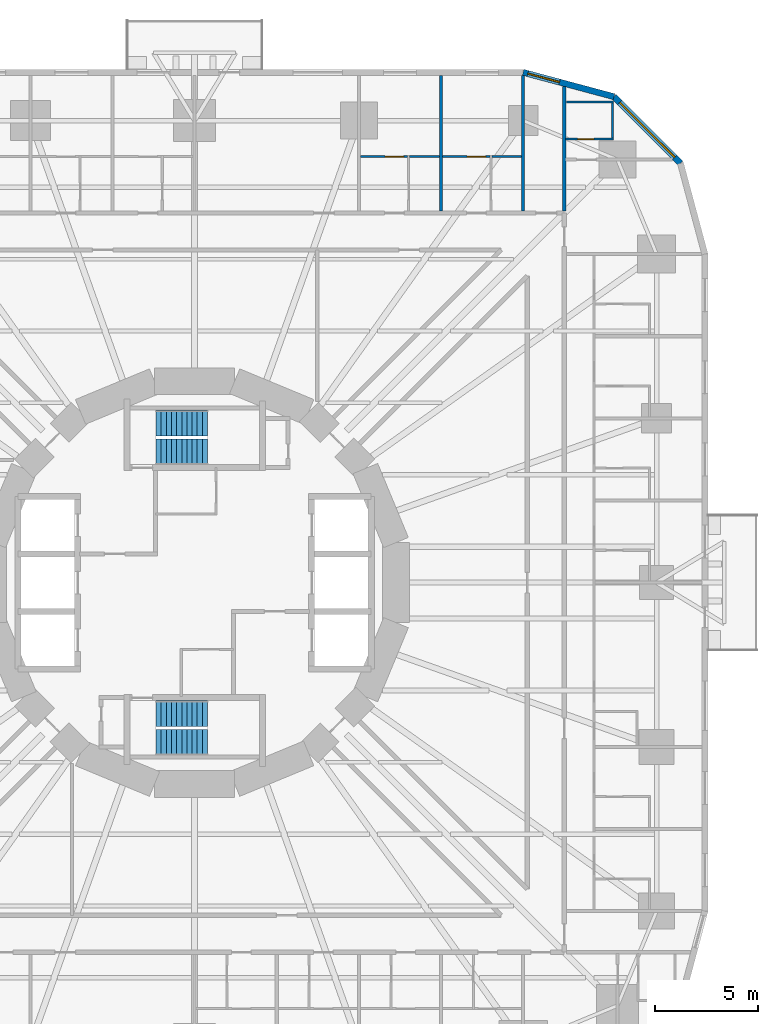
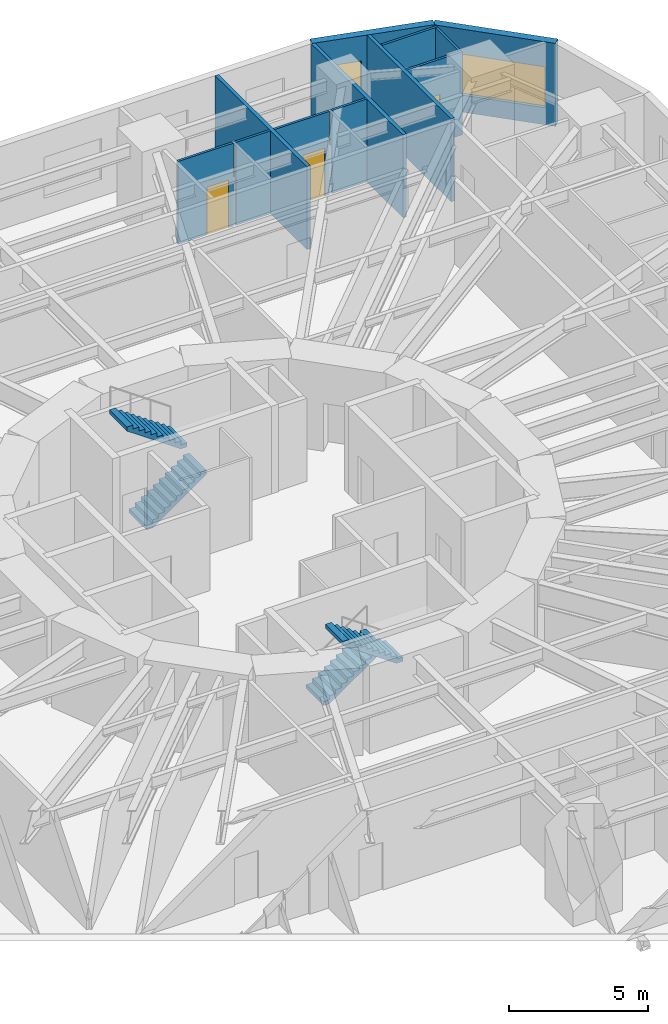
# One storey, part 12 of 14: 12 walls, 4 stair flights, 3 doors, 2 windows, 5 openings, 2 elements without a shape of their own.
"""IFC4 building model written with IfcOpenShell, lengths in metres."""

from ifc_helpers import new_model, si_unit, direction, frame, frame_2d, origin, place, context, subcontext, project, spatial, polyline, rectangle, outline, extrude, material, layer, layer_set, type_object, element, fill, aggregate, save


model = new_model("IFC4")

# Units and contexts
model_context = context("Model", 3, precision=1e-05, world=origin(), true_north=direction((0.0, 1.0)))
body_context = subcontext(model_context, "Body", "Model", "MODEL_VIEW")
ifc_project = project(units=[si_unit("LENGTHUNIT", "METRE"), si_unit("AREAUNIT", "SQUARE_METRE"), si_unit("VOLUMEUNIT", "CUBIC_METRE"), si_unit("PLANEANGLEUNIT", "RADIAN"), si_unit("MASSUNIT", "GRAM", prefix="KILO")], contexts=[model_context])

# Site, building, storey
site_placement = place(None, origin())
site = spatial("IfcSite", under=ifc_project, at=site_placement, CompositionType="ELEMENT")
building_placement = place(site_placement, origin())
building = spatial("IfcBuilding", under=site, at=building_placement, Name="Nakasero Lantern House", CompositionType="ELEMENT")
storey_placement = place(building_placement, frame((0.0, 0.0, 27.550048828125)))
storey = spatial("IfcBuildingStorey", under=building, at=storey_placement, Name="L06", CompositionType="ELEMENT", Elevation=27.550048828125)

# Wall, opening, door
ifc_material_1 = material(Name="Blockwork", Category="masonry")
ifc_layer_1 = layer(ifc_material_1, 0.10009765625)
ifc_layer_set_1 = layer_set([ifc_layer_1], Name="En-suite wall 100")
wall_type_1 = type_object("IfcWallType", Name="En-suite wall 100", PredefinedType="PARTITIONING", material=ifc_layer_set_1)
wall_1_placement = place(storey_placement, frame((18.06494140625, 21.59619140625, 0.0), z_axis=(0.0, 0.0, 1.0), x_axis=(1.0, 0.0, 0.0)))
wall_1 = element("IfcWall", 1, at=wall_1_placement, inside=storey, type_object=wall_type_1, Name="En-suite wall L06 ES0-09", PredefinedType="PARTITIONING", context=body_context, shape_type="SweptSolid", body=[
    extrude(rectangle(XDim=2.3349609375, YDim=0.10009765625, at=frame_2d((1.16748046875, 0.0))), origin(), (0.0, 0.0, 1.0), 3.64990234375),
])
opening_1_placement = place(wall_1_placement, frame((0.5849609375, 0.0, 0.0)))
opening_1 = element("IfcOpeningElement", 2, at=opening_1_placement, cuts=wall_1, Name="Opening D02", PredefinedType="OPENING", context=body_context, shape_type="SweptSolid", body=[
    extrude(rectangle(XDim=0.800048828125, YDim=2.10009765625, at=frame_2d((0.39990234375, 1.050048828125))), frame((0.0, 0.070068359375, 0.0), z_axis=(0.0, -1.0, 0.0), x_axis=(1.0, 0.0, 0.0)), (0.0, 0.0, 1.0), 0.14013671875),
])
ifc_material_2 = material(Name="Timber C24", Category="wood")
door_type_1 = type_object("IfcDoorType", Name="En-suite door 800", OperationType="SINGLE_SWING_RIGHT", PredefinedType="DOOR", material=ifc_material_2)
door_1_placement = place(opening_1_placement, origin())
door_1 = element("IfcDoor", 3, at=door_1_placement, inside=storey, type_object=door_type_1, Name="Door L06 DE0-09", OperationType="SINGLE_SWING_LEFT", OverallHeight=2.10009765625, OverallWidth=0.800048828125, PredefinedType="DOOR", context=body_context, shape_type="SweptSolid", body=[
    extrude(rectangle(XDim=0.800048828125, YDim=2.10009765625, at=frame_2d((0.39990234375, 1.050048828125))), frame((0.0, 0.02490234375, 0.0), z_axis=(0.0, -1.0, 0.0), x_axis=(1.0, 0.0, 0.0)), (0.0, 0.0, 1.0), 0.050048828125),
])
fill(opening_1, door_1)

# Walls
wall_2_placement = place(storey_placement, frame((20.35009765625, 21.646240234375, 0.0), z_axis=(0.0, 0.0, 1.0), x_axis=(0.0, 1.0, 0.0)))
element("IfcWall", 4, at=wall_2_placement, inside=storey, type_object=wall_type_1, Name="En-suite wall L06 EE0-09", PredefinedType="PARTITIONING", context=body_context, shape_type="SweptSolid", body=[
    extrude(rectangle(XDim=1.699951171875, YDim=0.10009765625, at=frame_2d((0.85009765625, 0.0))), origin(), (0.0, 0.0, 1.0), 3.64990234375),
])
wall_3_placement = place(storey_placement, frame((18.10009765625, 23.396240234375, 0.0), z_axis=(0.0, 0.0, 1.0), x_axis=(1.0, 0.0, 0.0)))
element("IfcWall", 5, at=wall_3_placement, inside=storey, type_object=wall_type_1, Name="En-suite wall L06 EV0-09", PredefinedType="PARTITIONING", context=body_context, shape_type="SweptSolid", body=[
    extrude(rectangle(XDim=2.2998046875, YDim=0.10009765625, at=frame_2d((1.14990234375, 0.0))), origin(), (0.0, 0.0, 1.0), 3.64990234375),
])
for number, where, z_axis, x_axis, name in (
    (6, (15.925048828125, 20.75, 0.0), (0.0, 0.0, 1.0), (-1.0, 0.0, 0.0), "En-suite wall L06 EE1-01"),
    (7, (11.925048828125, 20.75, 0.0), (0.0, 0.0, 1.0), (-1.0, 0.0, 0.0), "En-suite wall L06 EE1-02"),
):
    element("IfcWall", number, at=place(storey_placement, frame(where, z_axis=z_axis, x_axis=x_axis)), inside=storey, type_object=wall_type_1, Name=name, PredefinedType="PARTITIONING", context=body_context, shape_type="SweptSolid", body=[
        extrude(rectangle(XDim=1.449951171875, YDim=0.10009765625, at=frame_2d((0.72509765625, 0.0))), origin(), (0.0, 0.0, 1.0), 3.64990234375),
    ])

# Wall, opening, door
wall_4_placement = place(storey_placement, frame((14.375, 20.75, 0.0), z_axis=(0.0, 0.0, 1.0), x_axis=(-1.0, 0.0, 0.0)))
wall_4 = element("IfcWall", 8, at=wall_4_placement, inside=storey, type_object=wall_type_1, Name="En-suite wall L06 EL1-01", PredefinedType="PARTITIONING", context=body_context, shape_type="SweptSolid", body=[
    extrude(rectangle(XDim=2.300048828125, YDim=0.10009765625, at=frame_2d((1.14990234375, 0.0))), origin(), (0.0, 0.0, 1.0), 3.64990234375),
])
opening_2_placement = place(wall_4_placement, frame((0.199951171875, 0.0, 0.0)))
opening_2 = element("IfcOpeningElement", 9, at=opening_2_placement, cuts=wall_4, Name="Opening D17", PredefinedType="OPENING", context=body_context, shape_type="SweptSolid", body=[
    extrude(rectangle(XDim=0.89990234375, YDim=2.10009765625, at=frame_2d((0.449951171875, 1.050048828125))), frame((0.0, 0.070068359375, 0.0), z_axis=(0.0, -1.0, 0.0), x_axis=(1.0, 0.0, 0.0)), (0.0, 0.0, 1.0), 0.14013671875),
])
ifc_material_3 = material(Name="Timber C24", Category="wood")
door_type_2 = type_object("IfcDoorType", Name="Bedroom door FD30S 900", OperationType="SINGLE_SWING_LEFT", PredefinedType="DOOR", material=ifc_material_3)
door_2_placement = place(opening_2_placement, origin())
door_2 = element("IfcDoor", 10, at=door_2_placement, inside=storey, type_object=door_type_2, Name="Door L06 DL1-01", OperationType="SINGLE_SWING_LEFT", OverallHeight=2.10009765625, OverallWidth=0.89990234375, PredefinedType="DOOR", context=body_context, shape_type="SweptSolid", body=[
    extrude(rectangle(XDim=0.89990234375, YDim=2.10009765625, at=frame_2d((0.449951171875, 1.050048828125))), frame((0.0, 0.02490234375, 0.0), z_axis=(0.0, -1.0, 0.0), x_axis=(1.0, 0.0, 0.0)), (0.0, 0.0, 1.0), 0.050048828125),
])
fill(opening_2, door_2)

wall_5_placement = place(storey_placement, frame((10.375, 20.75, 0.0), z_axis=(0.0, 0.0, 1.0), x_axis=(-1.0, 0.0, 0.0)))
wall_5 = element("IfcWall", 11, at=wall_5_placement, inside=storey, type_object=wall_type_1, Name="En-suite wall L06 EL1-02", PredefinedType="PARTITIONING", context=body_context, shape_type="SweptSolid", body=[
    extrude(rectangle(XDim=2.300048828125, YDim=0.10009765625, at=frame_2d((1.14990234375, 0.0))), origin(), (0.0, 0.0, 1.0), 3.64990234375),
])
opening_3_placement = place(wall_5_placement, frame((0.199951171875, 0.0, 0.0)))
opening_3 = element("IfcOpeningElement", 12, at=opening_3_placement, cuts=wall_5, Name="Opening D17", PredefinedType="OPENING", context=body_context, shape_type="SweptSolid", body=[
    extrude(rectangle(XDim=0.89990234375, YDim=2.10009765625, at=frame_2d((0.449951171875, 1.050048828125))), frame((0.0, 0.070068359375, 0.0), z_axis=(0.0, -1.0, 0.0), x_axis=(1.0, 0.0, 0.0)), (0.0, 0.0, 1.0), 0.14013671875),
])
door_3_placement = place(opening_3_placement, origin())
door_3 = element("IfcDoor", 13, at=door_3_placement, inside=storey, type_object=door_type_2, Name="Door L06 DL1-02", OperationType="SINGLE_SWING_LEFT", OverallHeight=2.10009765625, OverallWidth=0.89990234375, PredefinedType="DOOR", context=body_context, shape_type="SweptSolid", body=[
    extrude(rectangle(XDim=0.89990234375, YDim=2.10009765625, at=frame_2d((0.449951171875, 1.050048828125))), frame((0.0, 0.02490234375, 0.0), z_axis=(0.0, -1.0, 0.0), x_axis=(1.0, 0.0, 0.0)), (0.0, 0.0, 1.0), 0.050048828125),
])
fill(opening_3, door_3)

# Wall, opening, window
ifc_material_4 = material(Name="Aluminium rainscreen on blockwork", Category="masonry")
ifc_layer_2 = layer(ifc_material_4, 0.300048828125)
ifc_layer_set_2 = layer_set([ifc_layer_2], Name="Facade wall 300")
wall_type_2 = type_object("IfcWallType", Name="Facade wall 300", PredefinedType="SOLIDWALL", material=ifc_layer_set_2)
wall_6_placement = place(storey_placement, frame((23.664306640625, 20.425048828125, 0.0), z_axis=(0.0, 0.0, 1.0), x_axis=(-0.707106781187, 0.707106781187, 0.0)))
wall_6 = element("IfcWall", 14, at=wall_6_placement, inside=storey, type_object=wall_type_2, Name="Facade wall L06 FW0C2", PredefinedType="SOLIDWALL", context=body_context, shape_type="SweptSolid", body=[
    extrude(rectangle(XDim=4.5810546875, YDim=0.300048828125, at=frame_2d((2.29052734375, 0.0))), origin(), (0.0, 0.0, 1.0), 3.64990234375),
])
opening_4_placement = place(wall_6_placement, frame((0.39990234375, 0.0, 0.75)))
opening_4 = element("IfcOpeningElement", 15, at=opening_4_placement, cuts=wall_6, Name="Opening W237", PredefinedType="OPENING", context=body_context, shape_type="SweptSolid", body=[
    extrude(rectangle(XDim=3.781005859375, YDim=1.800048828125, at=frame_2d((1.890625, 0.89990234375))), frame((0.0, 0.169921875, 0.0), z_axis=(0.0, -1.0, 0.0), x_axis=(1.0, 0.0, 0.0)), (0.0, 0.0, 1.0), 0.340087890625),
])
ifc_material_5 = material(Name="Aluminium 6063-T6 and glass", Category="aluminium")
window_type_1 = type_object("IfcWindowType", Name="Corner window 3781x1800", PartitioningType="SINGLE_PANEL", PredefinedType="WINDOW", material=ifc_material_5)
window_1_placement = place(opening_4_placement, origin())
window_1 = element("IfcWindow", 16, at=window_1_placement, inside=storey, type_object=window_type_1, Name="Window L06 WC0", OverallHeight=1.800048828125, OverallWidth=3.781005859375, PartitioningType="SINGLE_PANEL", PredefinedType="WINDOW", context=body_context, shape_type="SweptSolid", body=[
    extrude(rectangle(XDim=3.781005859375, YDim=1.800048828125, at=frame_2d((1.890625, 0.89990234375))), frame((0.0, 0.030029296875, 0.0), z_axis=(0.0, -1.0, 0.0), x_axis=(1.0, 0.0, 0.0)), (0.0, 0.0, 1.0), 0.06005859375),
])
fill(opening_4, window_1)

wall_7_placement = place(storey_placement, frame((20.425048828125, 23.664306640625, 0.0), z_axis=(0.0, 0.0, 1.0), x_axis=(-0.965920218567, 0.258839972501, 0.0)))
wall_7 = element("IfcWall", 17, at=wall_7_placement, inside=storey, type_object=wall_type_2, Name="Facade wall L06 FW0C3", PredefinedType="SOLIDWALL", context=body_context, shape_type="SweptSolid", body=[
    extrude(rectangle(XDim=4.5810546875, YDim=0.300048828125, at=frame_2d((2.29052734375, 0.0))), origin(), (0.0, 0.0, 1.0), 3.64990234375),
])
opening_5_placement = place(wall_7_placement, frame((2.74609375, 0.0, 0.75)))
opening_5 = element("IfcOpeningElement", 18, at=opening_5_placement, cuts=wall_7, Name="Opening W01", PredefinedType="OPENING", context=body_context, shape_type="SweptSolid", body=[
    extrude(rectangle(XDim=1.60009765625, YDim=1.800048828125, at=frame_2d((0.800048828125, 0.89990234375))), frame((0.0, 0.169921875, 0.0), z_axis=(0.0, -1.0, 0.0), x_axis=(1.0, 0.0, 0.0)), (0.0, 0.0, 1.0), 0.340087890625),
])
ifc_material_6 = material(Name="Aluminium 6063-T6 and glass", Category="aluminium")
window_type_2 = type_object("IfcWindowType", Name="Bedroom window 1600x1800", PartitioningType="SINGLE_PANEL", PredefinedType="WINDOW", material=ifc_material_6)
window_2_placement = place(opening_5_placement, origin())
window_2 = element("IfcWindow", 19, at=window_2_placement, inside=storey, type_object=window_type_2, Name="Window L06 WN1-00", OverallHeight=1.800048828125, OverallWidth=1.60009765625, PartitioningType="SINGLE_PANEL", PredefinedType="WINDOW", context=body_context, shape_type="SweptSolid", body=[
    extrude(rectangle(XDim=1.60009765625, YDim=1.800048828125, at=frame_2d((0.800048828125, 0.89990234375))), frame((0.0, 0.030029296875, 0.0), z_axis=(0.0, -1.0, 0.0), x_axis=(1.0, 0.0, 0.0)), (0.0, 0.0, 1.0), 0.06005859375),
])
fill(opening_5, window_2)

# Walls
ifc_material_7 = material(Name="Blockwork", Category="masonry")
ifc_layer_3 = layer(ifc_material_7, 0.14990234375)
ifc_layer_set_3 = layer_set([ifc_layer_3], Name="Party wall 150")
wall_type_3 = type_object("IfcWallType", Name="Party wall 150", PredefinedType="PARTITIONING", material=ifc_layer_set_3)
wall_8_placement = place(storey_placement, frame((18.0, 18.10009765625, 0.0), z_axis=(0.0, 0.0, 1.0), x_axis=(0.0, 1.0, 0.0)))
element("IfcWall", 20, at=wall_8_placement, inside=storey, type_object=wall_type_3, Name="Party wall L06 PW1-00", PredefinedType="PARTITIONING", context=body_context, shape_type="SweptSolid", body=[
    extrude(rectangle(XDim=6.053466796875, YDim=0.14990234375, at=frame_2d((3.02685546875, 0.0))), origin(), (0.0, 0.0, 1.0), 3.64990234375),
])
wall_9_placement = place(storey_placement, frame((16.0, 18.10009765625, 0.0), z_axis=(0.0, 0.0, 1.0), x_axis=(0.0, 1.0, 0.0)))
element("IfcWall", 21, at=wall_9_placement, inside=storey, type_object=wall_type_3, Name="Party wall L06 PW1-01", PredefinedType="PARTITIONING", context=body_context, shape_type="SweptSolid", body=[
    extrude(rectangle(XDim=6.58935546875, YDim=0.14990234375, at=frame_2d((3.294677734375, 0.0))), origin(), (0.0, 0.0, 1.0), 3.64990234375),
])
wall_10_placement = place(storey_placement, frame((12.0, 18.10009765625, 0.0), z_axis=(0.0, 0.0, 1.0), x_axis=(0.0, 1.0, 0.0)))
element("IfcWall", 22, at=wall_10_placement, inside=storey, type_object=wall_type_3, Name="Party wall L06 PW1-02", PredefinedType="PARTITIONING", context=body_context, shape_type="SweptSolid", body=[
    extrude(rectangle(XDim=6.599853515625, YDim=0.14990234375, at=frame_2d((3.2998046875, 0.0))), origin(), (0.0, 0.0, 1.0), 3.64990234375),
])

# Stair, stair flights
ifc_material_8 = material(Name="Concrete C40/50", Category="concrete")
stair_type_1 = type_object("IfcStairType", Name="Escape stair ST1 22 risers", PredefinedType="HALF_TURN_STAIR", material=ifc_material_8)
stair_1_placement = place(storey_placement, origin())
stair_1 = element("IfcStair", 23, at=stair_1_placement, inside=storey, type_object=stair_type_1, Name="Escape stair ST1 L06", PredefinedType="HALF_TURN_STAIR")
ifc_material_9 = material(Name="Concrete C40/50", Category="concrete")
stair_flight_type = type_object("IfcStairFlightType", Name="Escape stair flight", PredefinedType="STRAIGHT", material=ifc_material_9)
stair_flight_1_placement = place(storey_placement, frame((-1.875, 6.375, 0.0), z_axis=(0.0, 0.0, 1.0), x_axis=(1.0, 0.0, 0.0)))
stair_flight_1 = element("IfcStairFlight", 24, at=stair_flight_1_placement, type_object=stair_flight_type, Name="ST1 flight 1", NumberOfRisers=11, NumberOfTreads=10, PredefinedType="STRAIGHT", RiserHeight=0.175, TreadLength=0.25, context=body_context, shape_type="SweptSolid", body=[
    extrude(outline(polyline([(0.0, 0.0), (0.0, 0.175048828125), (0.25, 0.175048828125), (0.25, 0.35009765625), (0.5, 0.35009765625), (0.5, 0.52490234375), (0.75, 0.52490234375), (0.75, 0.699951171875), (1.0, 0.699951171875), (1.0, 0.875), (1.25, 0.875), (1.25, 1.050048828125), (1.5, 1.050048828125), (1.5, 1.22509765625), (1.75, 1.22509765625), (1.75, 1.39990234375), (2.0, 1.39990234375), (2.0, 1.574951171875), (2.25, 1.574951171875), (2.25, 1.75), (2.5, 1.75), (2.5, 1.925048828125), (2.5, 1.567138671875), (0.261474609375, 0.0), (0.0, 0.0)])), frame((0.0, 0.625, 0.0), z_axis=(0.0, -1.0, 0.0), x_axis=(1.0, 0.0, 0.0)), (0.0, 0.0, 1.0), 1.25),
])
stair_flight_2_placement = place(storey_placement, frame((0.625, 7.77490234375, 1.925048828125), z_axis=(0.0, 0.0, 1.0), x_axis=(-1.0, 0.0, 0.0)))
stair_flight_2 = element("IfcStairFlight", 25, at=stair_flight_2_placement, type_object=stair_flight_type, Name="ST1 flight 2", NumberOfRisers=11, NumberOfTreads=10, PredefinedType="STRAIGHT", RiserHeight=0.175, TreadLength=0.25, context=body_context, shape_type="SweptSolid", body=[
    extrude(outline(polyline([(0.0, 0.0), (0.0, 0.175048828125), (0.25, 0.175048828125), (0.25, 0.35009765625), (0.5, 0.35009765625), (0.5, 0.52490234375), (0.75, 0.52490234375), (0.75, 0.699951171875), (1.0, 0.699951171875), (1.0, 0.875), (1.25, 0.875), (1.25, 1.050048828125), (1.5, 1.050048828125), (1.5, 1.22509765625), (1.75, 1.22509765625), (1.75, 1.39990234375), (2.0, 1.39990234375), (2.0, 1.574951171875), (2.25, 1.574951171875), (2.25, 1.75), (2.5, 1.75), (2.5, 1.925048828125), (2.5, 1.567138671875), (0.261474609375, 0.0), (0.0, 0.0)])), frame((0.0, 0.625, 0.0), z_axis=(0.0, -1.0, 0.0), x_axis=(1.0, 0.0, 0.0)), (0.0, 0.0, 1.0), 1.25),
])
aggregate(stair_1, [stair_flight_1, stair_flight_2])

ifc_material_10 = material(Name="Concrete C40/50", Category="concrete")
stair_type_2 = type_object("IfcStairType", Name="Escape stair ST2 22 risers", PredefinedType="HALF_TURN_STAIR", material=ifc_material_10)
stair_2_placement = place(storey_placement, origin())
stair_2 = element("IfcStair", 26, at=stair_2_placement, inside=storey, type_object=stair_type_2, Name="Escape stair ST2 L06", PredefinedType="HALF_TURN_STAIR")
stair_flight_3_placement = place(storey_placement, frame((-1.875, -6.375, 0.0), z_axis=(0.0, 0.0, 1.0), x_axis=(1.0, 0.0, 0.0)))
stair_flight_3 = element("IfcStairFlight", 27, at=stair_flight_3_placement, type_object=stair_flight_type, Name="ST2 flight 1", NumberOfRisers=11, NumberOfTreads=10, PredefinedType="STRAIGHT", RiserHeight=0.175, TreadLength=0.25, context=body_context, shape_type="SweptSolid", body=[
    extrude(outline(polyline([(0.0, 0.0), (0.0, 0.175048828125), (0.25, 0.175048828125), (0.25, 0.35009765625), (0.5, 0.35009765625), (0.5, 0.52490234375), (0.75, 0.52490234375), (0.75, 0.699951171875), (1.0, 0.699951171875), (1.0, 0.875), (1.25, 0.875), (1.25, 1.050048828125), (1.5, 1.050048828125), (1.5, 1.22509765625), (1.75, 1.22509765625), (1.75, 1.39990234375), (2.0, 1.39990234375), (2.0, 1.574951171875), (2.25, 1.574951171875), (2.25, 1.75), (2.5, 1.75), (2.5, 1.925048828125), (2.5, 1.567138671875), (0.261474609375, 0.0), (0.0, 0.0)])), frame((0.0, 0.625, 0.0), z_axis=(0.0, -1.0, 0.0), x_axis=(1.0, 0.0, 0.0)), (0.0, 0.0, 1.0), 1.25),
])
stair_flight_4_placement = place(storey_placement, frame((0.625, -7.77490234375, 1.925048828125), z_axis=(0.0, 0.0, 1.0), x_axis=(-1.0, 0.0, 0.0)))
stair_flight_4 = element("IfcStairFlight", 28, at=stair_flight_4_placement, type_object=stair_flight_type, Name="ST2 flight 2", NumberOfRisers=11, NumberOfTreads=10, PredefinedType="STRAIGHT", RiserHeight=0.175, TreadLength=0.25, context=body_context, shape_type="SweptSolid", body=[
    extrude(outline(polyline([(0.0, 0.0), (0.0, 0.175048828125), (0.25, 0.175048828125), (0.25, 0.35009765625), (0.5, 0.35009765625), (0.5, 0.52490234375), (0.75, 0.52490234375), (0.75, 0.699951171875), (1.0, 0.699951171875), (1.0, 0.875), (1.25, 0.875), (1.25, 1.050048828125), (1.5, 1.050048828125), (1.5, 1.22509765625), (1.75, 1.22509765625), (1.75, 1.39990234375), (2.0, 1.39990234375), (2.0, 1.574951171875), (2.25, 1.574951171875), (2.25, 1.75), (2.5, 1.75), (2.5, 1.925048828125), (2.5, 1.567138671875), (0.261474609375, 0.0), (0.0, 0.0)])), frame((0.0, 0.625, 0.0), z_axis=(0.0, -1.0, 0.0), x_axis=(1.0, 0.0, 0.0)), (0.0, 0.0, 1.0), 1.25),
])
aggregate(stair_2, [stair_flight_3, stair_flight_4])

save(model, "model.ifc")
